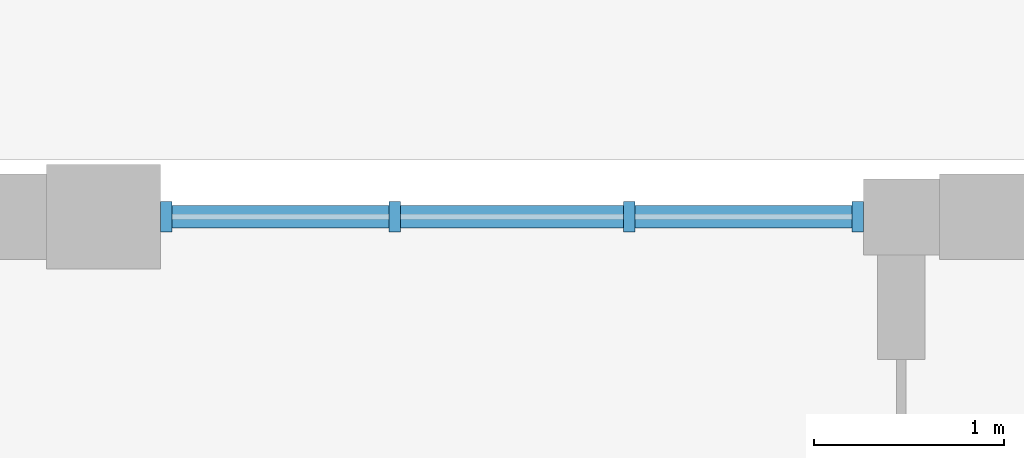
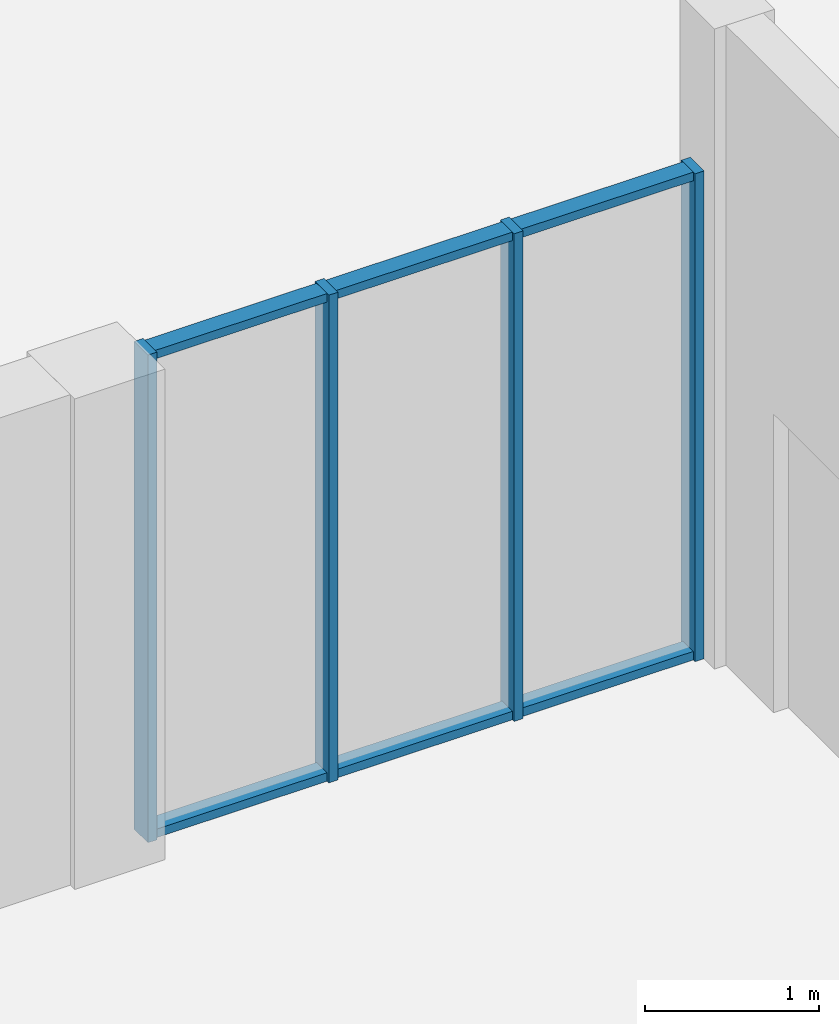
# One storey, part 53 of 101: 10 members, 1 element without a shape of its own.
"""IFC4 building model written with IfcOpenShell, lengths in metres."""

from ifc_helpers import new_model, si_unit, direction, frame, origin, origin_2d, place, context, subcontext, project, spatial, rectangle, extrude, material, material_profile, profile_set, type_object, element, aggregate, save


model = new_model("IFC4")

# Units and contexts
model_context = context("Model", 3, precision=1e-05, world=origin(), true_north=direction((0.0, 1.0)))
body_context = subcontext(model_context, "Body", "Model", "MODEL_VIEW")
ifc_project = project(units=[si_unit("LENGTHUNIT", "METRE"), si_unit("AREAUNIT", "SQUARE_METRE"), si_unit("VOLUMEUNIT", "CUBIC_METRE"), si_unit("PLANEANGLEUNIT", "RADIAN"), si_unit("MASSUNIT", "GRAM", prefix="KILO")], contexts=[model_context])

# Site, building, storey
site_placement = place(None, origin())
site = spatial("IfcSite", under=ifc_project, at=site_placement, CompositionType="ELEMENT")
building_placement = place(site_placement, origin())
building = spatial("IfcBuilding", under=site, at=building_placement, Name="Fescue Hill Polytechnic", CompositionType="ELEMENT")
storey_placement = place(building_placement, frame((0.0, 0.0, 9.0)))
storey = spatial("IfcBuildingStorey", under=building, at=storey_placement, Name="L02", CompositionType="ELEMENT", Elevation=9.0)

# Curtain wall, members
ifc_material_1 = material(Name="Glass", Category="glass")
curtain_wall_type = type_object("IfcCurtainWallType", Name="Curtain wall structural glazing", PredefinedType="NOTDEFINED", material=ifc_material_1)
curtain_wall_placement = place(storey_placement, origin())
curtain_wall = element("IfcCurtainWall", 1, at=curtain_wall_placement, inside=storey, type_object=curtain_wall_type, Name="CW-L02-V4b-X1", PredefinedType="NOTDEFINED")
ifc_material_2 = material(Name="Powder-coated aluminium", Category="aluminium")
ifc_material_profile_1 = material_profile(ifc_material_2, rectangle(XDim=0.159912109375, YDim=0.06005859375, at=origin_2d()), Name="Mullion aluminium 60x160")
ifc_profile_set_1 = profile_set([ifc_material_profile_1], Name="Powder-coated aluminium")
member_type_1 = type_object("IfcMemberType", Name="Mullion aluminium 60x160", PredefinedType="MULLION", material=ifc_profile_set_1)
member_1_placement = place(storey_placement, frame((108.969970703125, 134.39990234375, 0.0), z_axis=(0.0, 0.0, 1.0), x_axis=(0.0, -1.0, 0.0)))
member_1 = element("IfcMember", 2, at=member_1_placement, type_object=member_type_1, Name="CW166 mullion 1", PredefinedType="MULLION", context=body_context, shape_type="SweptSolid", body=[
    extrude(rectangle(XDim=0.159912109375, YDim=0.06005859375, at=origin_2d()), origin(), (0.0, 0.0, 1.0), 3.429931640625),
])
member_2_placement = place(storey_placement, frame((107.7666015625, 134.39990234375, 0.0), z_axis=(0.0, 0.0, 1.0), x_axis=(0.0, -1.0, 0.0)))
member_2 = element("IfcMember", 3, at=member_2_placement, type_object=member_type_1, Name="CW166 mullion 2", PredefinedType="MULLION", context=body_context, shape_type="SweptSolid", body=[
    extrude(rectangle(XDim=0.159912109375, YDim=0.06005859375, at=origin_2d()), origin(), (0.0, 0.0, 1.0), 3.429931640625),
])
member_3_placement = place(storey_placement, frame((106.533447265625, 134.39990234375, 0.0), z_axis=(0.0, 0.0, 1.0), x_axis=(0.0, -1.0, 0.0)))
member_3 = element("IfcMember", 4, at=member_3_placement, type_object=member_type_1, Name="CW166 mullion 3", PredefinedType="MULLION", context=body_context, shape_type="SweptSolid", body=[
    extrude(rectangle(XDim=0.159912109375, YDim=0.06005859375, at=origin_2d()), origin(), (0.0, 0.0, 1.0), 3.429931640625),
])
member_4_placement = place(storey_placement, frame((105.330078125, 134.39990234375, 0.0), z_axis=(0.0, 0.0, 1.0), x_axis=(0.0, -1.0, 0.0)))
member_4 = element("IfcMember", 5, at=member_4_placement, type_object=member_type_1, Name="CW166 mullion 4", PredefinedType="MULLION", context=body_context, shape_type="SweptSolid", body=[
    extrude(rectangle(XDim=0.159912109375, YDim=0.06005859375, at=origin_2d()), origin(), (0.0, 0.0, 1.0), 3.429931640625),
])
ifc_material_profile_2 = material_profile(ifc_material_2, rectangle(XDim=0.1201171875, YDim=0.06005859375, at=origin_2d()), Name="Transom aluminium 60x120")
ifc_profile_set_2 = profile_set([ifc_material_profile_2], Name="Powder-coated aluminium")
member_type_2 = type_object("IfcMemberType", Name="Transom aluminium 60x120", PredefinedType="USERDEFINED", material=ifc_profile_set_2)
member_5_placement = place(storey_placement, frame((108.93994140625, 134.39990234375, 0.030029296875), z_axis=(-1.0, 0.0, 0.0), x_axis=(0.0, -1.0, 0.0)))
member_5 = element("IfcMember", 6, at=member_5_placement, type_object=member_type_2, Name="CW166 transom 1.1", ObjectType="TRANSOM", PredefinedType="USERDEFINED", context=body_context, shape_type="SweptSolid", body=[
    extrude(rectangle(XDim=0.1201171875, YDim=0.06005859375, at=origin_2d()), origin(), (0.0, 0.0, 1.0), 1.143310546875),
])
member_6_placement = place(storey_placement, frame((108.93994140625, 134.39990234375, 3.39990234375), z_axis=(-1.0, 0.0, 0.0), x_axis=(0.0, -1.0, 0.0)))
member_6 = element("IfcMember", 7, at=member_6_placement, type_object=member_type_2, Name="CW166 transom 1.2", ObjectType="TRANSOM", PredefinedType="USERDEFINED", context=body_context, shape_type="SweptSolid", body=[
    extrude(rectangle(XDim=0.1201171875, YDim=0.06005859375, at=origin_2d()), origin(), (0.0, 0.0, 1.0), 1.143310546875),
])
member_7_placement = place(storey_placement, frame((107.736572265625, 134.39990234375, 0.030029296875), z_axis=(-1.0, 0.0, 0.0), x_axis=(0.0, -1.0, 0.0)))
member_7 = element("IfcMember", 8, at=member_7_placement, type_object=member_type_2, Name="CW166 transom 2.1", ObjectType="TRANSOM", PredefinedType="USERDEFINED", context=body_context, shape_type="SweptSolid", body=[
    extrude(rectangle(XDim=0.1201171875, YDim=0.06005859375, at=origin_2d()), origin(), (0.0, 0.0, 1.0), 1.17333984375),
])
member_8_placement = place(storey_placement, frame((107.736572265625, 134.39990234375, 3.39990234375), z_axis=(-1.0, 0.0, 0.0), x_axis=(0.0, -1.0, 0.0)))
member_8 = element("IfcMember", 9, at=member_8_placement, type_object=member_type_2, Name="CW166 transom 2.2", ObjectType="TRANSOM", PredefinedType="USERDEFINED", context=body_context, shape_type="SweptSolid", body=[
    extrude(rectangle(XDim=0.1201171875, YDim=0.06005859375, at=origin_2d()), origin(), (0.0, 0.0, 1.0), 1.17333984375),
])
member_9_placement = place(storey_placement, frame((106.50341796875, 134.39990234375, 0.030029296875), z_axis=(-1.0, 0.0, 0.0), x_axis=(0.0, -1.0, 0.0)))
member_9 = element("IfcMember", 10, at=member_9_placement, type_object=member_type_2, Name="CW166 transom 3.1", ObjectType="TRANSOM", PredefinedType="USERDEFINED", context=body_context, shape_type="SweptSolid", body=[
    extrude(rectangle(XDim=0.1201171875, YDim=0.06005859375, at=origin_2d()), origin(), (0.0, 0.0, 1.0), 1.143310546875),
])
member_10_placement = place(storey_placement, frame((106.50341796875, 134.39990234375, 3.39990234375), z_axis=(-1.0, 0.0, 0.0), x_axis=(0.0, -1.0, 0.0)))
member_10 = element("IfcMember", 11, at=member_10_placement, type_object=member_type_2, Name="CW166 transom 3.2", ObjectType="TRANSOM", PredefinedType="USERDEFINED", context=body_context, shape_type="SweptSolid", body=[
    extrude(rectangle(XDim=0.1201171875, YDim=0.06005859375, at=origin_2d()), origin(), (0.0, 0.0, 1.0), 1.143310546875),
])
aggregate(curtain_wall, [member_1, member_2, member_3, member_4, member_5, member_6, member_7, member_8, member_9, member_10])

save(model, "model.ifc")
